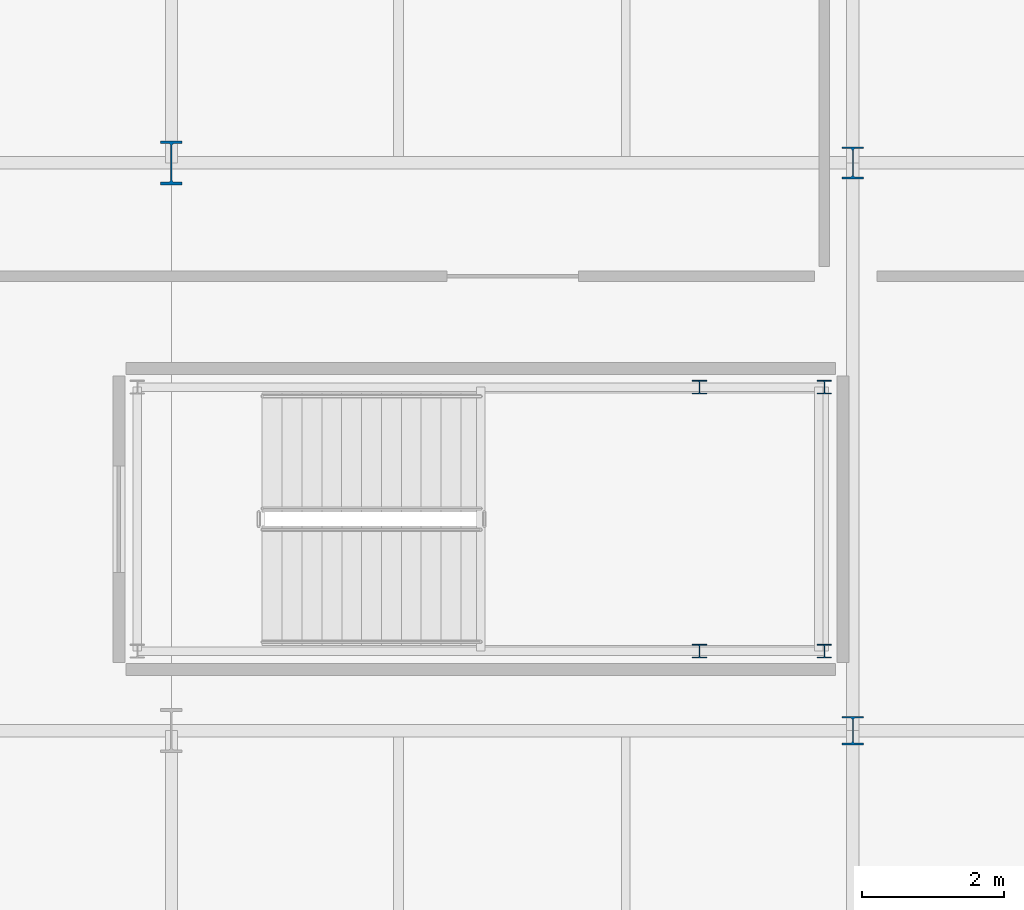
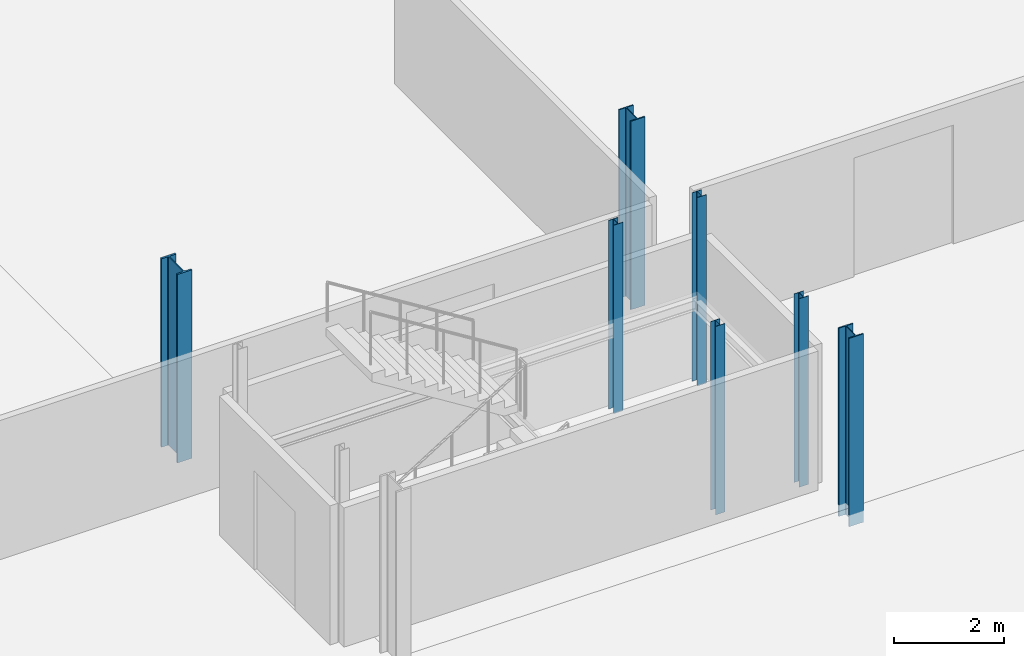
# One storey, part 10 of 85: 7 columns.
"""IFC4 building model written with IfcOpenShell, lengths in metres."""

from ifc_helpers import new_model, si_unit, direction, frame, origin, origin_2d, place, context, subcontext, project, spatial, i_section, extrude, material, material_profile, profile_set, type_object, element, save


model = new_model("IFC4")

# Units and contexts
model_context = context("Model", 3, precision=1e-05, world=origin(), true_north=direction((0.0, 1.0)))
body_context = subcontext(model_context, "Body", "Model", "MODEL_VIEW")
ifc_project = project(units=[si_unit("LENGTHUNIT", "METRE"), si_unit("AREAUNIT", "SQUARE_METRE"), si_unit("VOLUMEUNIT", "CUBIC_METRE"), si_unit("PLANEANGLEUNIT", "RADIAN"), si_unit("MASSUNIT", "GRAM", prefix="KILO")], contexts=[model_context])

# Site, building, storey
site_placement = place(None, origin())
site = spatial("IfcSite", under=ifc_project, at=site_placement, CompositionType="ELEMENT")
building_placement = place(site_placement, origin())
building = spatial("IfcBuilding", under=site, at=building_placement, Name="Alderhovde Museum", CompositionType="ELEMENT")
storey_placement = place(building_placement, frame((0.0, 0.0, 8.699951171875)))
storey = spatial("IfcBuildingStorey", under=building, at=storey_placement, Name="L02", CompositionType="ELEMENT", Elevation=8.699951171875)

# Columns
ifc_material_1 = material(Name="Steel S355J2", Category="steel")
ifc_material_profile_1 = material_profile(ifc_material_1, i_section(OverallWidth=0.199951171875, OverallDepth=0.18994140625, WebThickness=0.006591796875, FlangeThickness=0.010009765625, FilletRadius=0.01806640625, at=origin_2d()), Name="HEA 200")
ifc_profile_set_1 = profile_set([ifc_material_profile_1], Name="Steel S355J2")
column_type_1 = type_object("IfcColumnType", Name="COL-HEA200", PredefinedType="COLUMN", material=ifc_profile_set_1)
for number, where, z_axis, x_axis, name in (
    (1, (38.0, 81.1201171875, 0.0), (0.0, 0.0, 1.0), (1.0, 0.0, 0.0), "L02 Stair ST2 Shaft Column 2"),
    (2, (38.0, 84.840087890625, 0.0), (0.0, 0.0, 1.0), (1.0, 0.0, 0.0), "L02 Stair ST2 Shaft Column 3"),
    (3, (36.239990234375, 81.1201171875, 0.0), (0.0, 0.0, 1.0), (1.0, 0.0, 0.0), "L02 Stair ST2 Shaft Column 5"),
    (4, (36.239990234375, 84.840087890625, 0.0), (0.0, 0.0, 1.0), (1.0, 0.0, 0.0), "L02 Stair ST2 Shaft Column 6"),
):
    element("IfcColumn", number, at=place(storey_placement, frame(where, z_axis=z_axis, x_axis=x_axis)), inside=storey, type_object=column_type_1, Name=name, PredefinedType="COLUMN", context=body_context, shape_type="SweptSolid", body=[
        extrude(i_section(OverallWidth=0.199951171875, OverallDepth=0.18994140625, WebThickness=0.006591796875, FlangeThickness=0.010009765625, FilletRadius=0.01806640625, at=origin_2d()), origin(), (0.0, 0.0, 1.0), 4.199951171875),
    ])
ifc_material_2 = material(Name="Steel S355J2", Category="steel")
ifc_material_profile_2 = material_profile(ifc_material_2, i_section(OverallWidth=0.300048828125, OverallDepth=0.39990234375, WebThickness=0.013427734375, FlangeThickness=0.02392578125, FilletRadius=0.027099609375, at=origin_2d()), Name="HEB 400")
ifc_profile_set_2 = profile_set([ifc_material_profile_2], Name="Steel S355J2")
column_type_2 = type_object("IfcColumnType", Name="COL-HEB400", PredefinedType="COLUMN", material=ifc_profile_set_2)
column_1_placement = place(storey_placement, frame((38.39990234375, 80.0, -0.260009765625), z_axis=(0.0, 0.0, 1.0), x_axis=(1.0, 0.0, 0.0)))
element("IfcColumn", 5, at=column_1_placement, inside=storey, type_object=column_type_2, Name="L02 Column (38.4, 80.0)", PredefinedType="COLUMN", context=body_context, shape_type="SweptSolid", body=[
    extrude(i_section(OverallWidth=0.300048828125, OverallDepth=0.39990234375, WebThickness=0.013427734375, FlangeThickness=0.02392578125, FilletRadius=0.027099609375, at=origin_2d()), origin(), (0.0, 0.0, 1.0), 4.199951171875),
])
ifc_material_3 = material(Name="Steel S355J2", Category="steel")
ifc_material_profile_3 = material_profile(ifc_material_3, i_section(OverallWidth=0.300048828125, OverallDepth=0.449951171875, WebThickness=0.013916015625, FlangeThickness=0.02587890625, FilletRadius=0.027099609375, at=origin_2d()), Name="HEB 450")
ifc_profile_set_3 = profile_set([ifc_material_profile_3], Name="Steel S355J2")
column_type_3 = type_object("IfcColumnType", Name="COL-HEB450", PredefinedType="COLUMN", material=ifc_profile_set_3)
column_2_placement = place(storey_placement, frame((38.39990234375, 88.0, -0.260009765625), z_axis=(0.0, 0.0, 1.0), x_axis=(1.0, 0.0, 0.0)))
element("IfcColumn", 6, at=column_2_placement, inside=storey, type_object=column_type_3, Name="L02 Column (38.4, 88.0)", PredefinedType="COLUMN", context=body_context, shape_type="SweptSolid", body=[
    extrude(i_section(OverallWidth=0.300048828125, OverallDepth=0.449951171875, WebThickness=0.013916015625, FlangeThickness=0.02587890625, FilletRadius=0.027099609375, at=origin_2d()), origin(), (0.0, 0.0, 1.0), 4.199951171875),
])
ifc_material_4 = material(Name="Steel S355J2", Category="steel")
ifc_material_profile_4 = material_profile(ifc_material_4, i_section(OverallWidth=0.304931640625, OverallDepth=0.6201171875, WebThickness=0.02099609375, FlangeThickness=0.0400390625, FilletRadius=0.027099609375, at=origin_2d()), Name="HEM 600")
ifc_profile_set_4 = profile_set([ifc_material_profile_4], Name="Steel S355J2")
column_type_4 = type_object("IfcColumnType", Name="COL-HEM600", PredefinedType="COLUMN", material=ifc_profile_set_4)
column_3_placement = place(storey_placement, frame((28.800048828125, 88.0, -0.260009765625), z_axis=(0.0, 0.0, 1.0), x_axis=(1.0, 0.0, 0.0)))
element("IfcColumn", 7, at=column_3_placement, inside=storey, type_object=column_type_4, Name="L02 Column (28.8, 88.0)", PredefinedType="COLUMN", context=body_context, shape_type="SweptSolid", body=[
    extrude(i_section(OverallWidth=0.304931640625, OverallDepth=0.6201171875, WebThickness=0.02099609375, FlangeThickness=0.0400390625, FilletRadius=0.027099609375, at=origin_2d()), origin(), (0.0, 0.0, 1.0), 4.199951171875),
])

save(model, "model.ifc")
